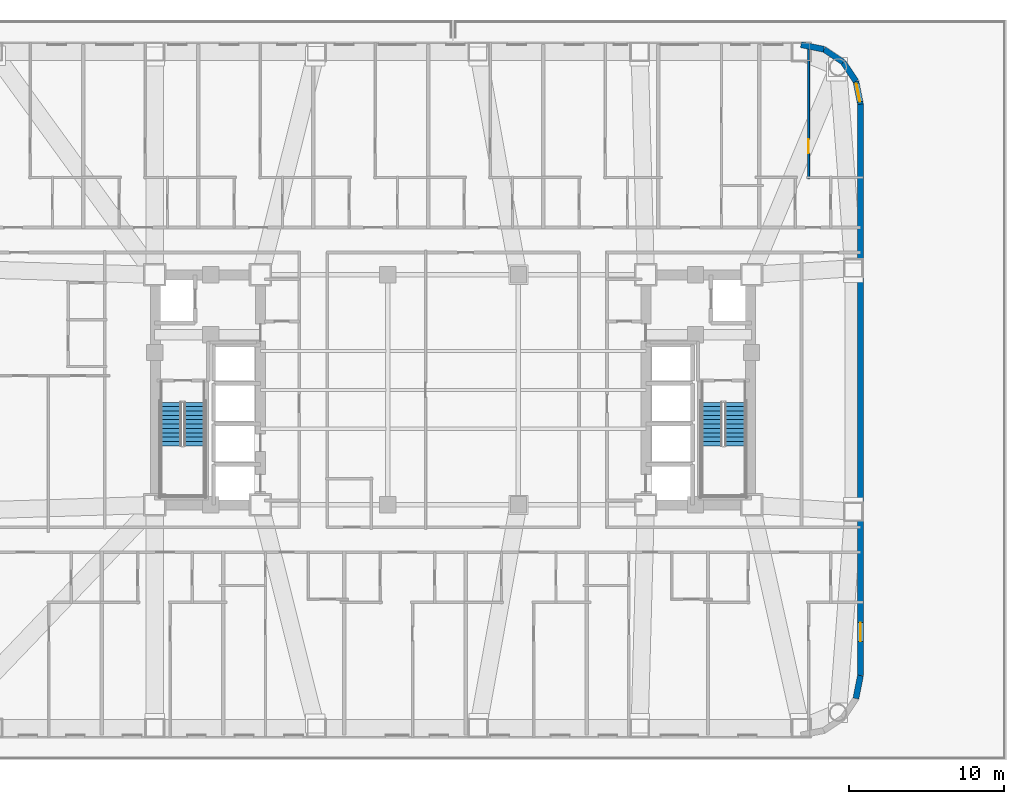
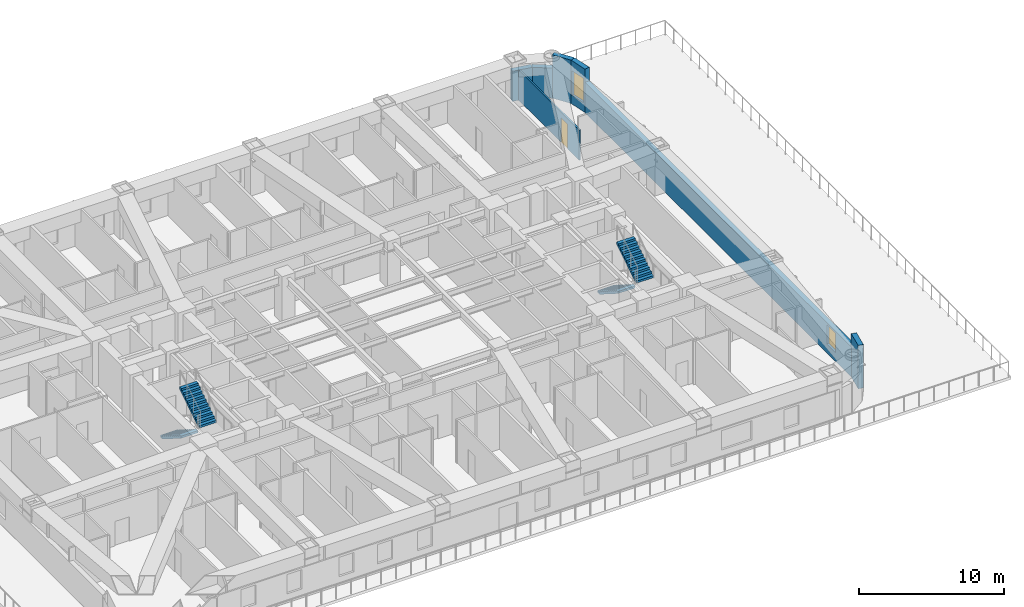
# One storey, part 10 of 15: 7 walls, 4 stair flights, 2 windows, 1 door, 3 openings, 2 elements without a shape of their own.
"""IFC4 building model written with IfcOpenShell, lengths in metres."""

from ifc_helpers import new_model, si_unit, direction, frame, frame_2d, origin, place, context, subcontext, project, spatial, polyline, rectangle, outline, extrude, material, layer, layer_set, type_object, element, fill, aggregate, save


model = new_model("IFC4")

# Units and contexts
model_context = context("Model", 3, precision=1e-05, world=origin(), true_north=direction((0.0, 1.0)))
body_context = subcontext(model_context, "Body", "Model", "MODEL_VIEW")
ifc_project = project(units=[si_unit("LENGTHUNIT", "METRE"), si_unit("AREAUNIT", "SQUARE_METRE"), si_unit("VOLUMEUNIT", "CUBIC_METRE"), si_unit("PLANEANGLEUNIT", "RADIAN"), si_unit("MASSUNIT", "GRAM", prefix="KILO")], contexts=[model_context])

# Site, building, storey
site_placement = place(None, origin())
site = spatial("IfcSite", under=ifc_project, at=site_placement, CompositionType="ELEMENT")
building_placement = place(site_placement, origin())
building = spatial("IfcBuilding", under=site, at=building_placement, Name="Voryun Gate Residences", CompositionType="ELEMENT")
storey_placement = place(building_placement, frame((0.0, 0.0, 26.0)))
storey = spatial("IfcBuildingStorey", under=building, at=storey_placement, Name="L05", CompositionType="ELEMENT", Elevation=26.0)

# Walls
ifc_material_1 = material(Name="Granite masonry", Category="masonry")
ifc_layer_1 = layer(ifc_material_1, 0.3798828125, Name="W_EXT_GRANITE_380")
ifc_layer_set_1 = layer_set([ifc_layer_1], Name="Granite masonry")
wall_type_1 = type_object("IfcWallType", Name="W_EXT_GRANITE_380", PredefinedType="ELEMENTEDWALL", material=ifc_layer_set_1)
wall_1_placement = place(storey_placement, frame((22.38134765625, 22.2099609375, 0.0), z_axis=(0.0, 0.0, 1.0), x_axis=(0.980786132421, -0.195086038585, 0.0)))
element("IfcWall", 1, at=wall_1_placement, inside=storey, type_object=wall_type_1, Name="Exterior wall WEXT-L05-12", PredefinedType="ELEMENTEDWALL", context=body_context, shape_type="SweptSolid", body=[
    extrude(rectangle(XDim=1.504150390625, YDim=0.3798828125, at=frame_2d((0.751953125, 0.0))), origin(), (0.0, 0.0, 1.0), 2.5400390625),
])
wall_2_placement = place(storey_placement, frame((23.856689453125, 21.91650390625, 0.0), z_axis=(0.0, 0.0, 1.0), x_axis=(0.831392092774, -0.555686231674, 0.0)))
element("IfcWall", 2, at=wall_2_placement, inside=storey, type_object=wall_type_1, Name="Exterior wall WEXT-L05-13", PredefinedType="ELEMENTEDWALL", context=body_context, shape_type="SweptSolid", body=[
    extrude(rectangle(XDim=1.485107421875, YDim=0.3798828125, at=frame_2d((0.74267578125, 0.0))), origin(), (0.0, 0.0, 1.0), 2.5400390625),
])
wall_3_placement = place(storey_placement, frame((25.09130859375, 21.09130859375, 0.0), z_axis=(0.0, 0.0, 1.0), x_axis=(0.555686231674, -0.831392092774, 0.0)))
element("IfcWall", 3, at=wall_3_placement, inside=storey, type_object=wall_type_1, Name="Exterior wall WEXT-L05-14", PredefinedType="ELEMENTEDWALL", context=body_context, shape_type="SweptSolid", body=[
    extrude(rectangle(XDim=1.485107421875, YDim=0.3798828125, at=frame_2d((0.74267578125, 0.0))), origin(), (0.0, 0.0, 1.0), 3.64990234375),
])

# Wall, opening, window
wall_4_placement = place(storey_placement, frame((25.91650390625, 19.856689453125, 0.0), z_axis=(0.0, 0.0, 1.0), x_axis=(0.195086038585, -0.980786132421, 0.0)))
wall_4 = element("IfcWall", 4, at=wall_4_placement, inside=storey, type_object=wall_type_1, Name="Exterior wall WEXT-L05-15", PredefinedType="ELEMENTEDWALL", context=body_context, shape_type="SweptSolid", body=[
    extrude(rectangle(XDim=1.504150390625, YDim=0.3798828125, at=frame_2d((0.751953125, 0.0))), origin(), (0.0, 0.0, 1.0), 3.64990234375),
])
opening_1_placement = place(wall_4_placement, frame((0.152099609375, 0.0, 0.75)))
opening_1 = element("IfcOpeningElement", 5, at=opening_1_placement, cuts=wall_4, Name="Opening WN6", PredefinedType="OPENING", context=body_context, shape_type="SweptSolid", body=[
    extrude(rectangle(XDim=1.199951171875, YDim=2.050048828125, at=frame_2d((0.60009765625, 1.02490234375))), frame((0.0, 0.199951171875, 0.0), z_axis=(0.0, -1.0, 0.0), x_axis=(1.0, 0.0, 0.0)), (0.0, 0.0, 1.0), 0.39990234375),
])
ifc_material_2 = material(Name="Laminated low-E glass", Category="glass")
window_type = type_object("IfcWindowType", Name="WN_POD_SLOT_1200", PartitioningType="SINGLE_PANEL", PredefinedType="WINDOW", material=ifc_material_2)
window_1_placement = place(opening_1_placement, origin())
window_1 = element("IfcWindow", 6, at=window_1_placement, inside=storey, type_object=window_type, Name="Window WN-L05-DWFIX-13", OverallHeight=2.050048828125, OverallWidth=1.199951171875, PartitioningType="SINGLE_PANEL", PredefinedType="WINDOW", context=body_context, shape_type="SweptSolid", body=[
    extrude(rectangle(XDim=1.199951171875, YDim=2.050048828125, at=frame_2d((0.60009765625, 1.02490234375))), frame((0.0, 0.030029296875, 0.0), z_axis=(0.0, -1.0, 0.0), x_axis=(1.0, 0.0, 0.0)), (0.0, 0.0, 1.0), 0.06005859375),
])
fill(opening_1, window_1)

wall_5_placement = place(storey_placement, frame((26.2099609375, 18.38134765625, 0.0), z_axis=(0.0, 0.0, 1.0), x_axis=(0.0, -1.0, 0.0)))
wall_5 = element("IfcWall", 7, at=wall_5_placement, inside=storey, type_object=wall_type_1, Name="Exterior wall WEXT-L05-16", PredefinedType="ELEMENTEDWALL", context=body_context, shape_type="SweptSolid", body=[
    extrude(rectangle(XDim=36.7626953125, YDim=0.3798828125, at=frame_2d((18.38134765625, 0.0))), origin(), (0.0, 0.0, 1.0), 2.5400390625),
])
opening_2_placement = place(wall_5_placement, frame((33.362060546875, 0.0, 0.75)))
opening_2 = element("IfcOpeningElement", 8, at=opening_2_placement, cuts=wall_5, Name="Opening WN6", PredefinedType="OPENING", context=body_context, shape_type="SweptSolid", body=[
    extrude(rectangle(XDim=1.199951171875, YDim=1.6298828125, at=frame_2d((0.60009765625, 0.81494140625))), frame((0.0, 0.199951171875, 0.0), z_axis=(0.0, -1.0, 0.0), x_axis=(1.0, 0.0, 0.0)), (0.0, 0.0, 1.0), 0.39990234375),
])
window_2_placement = place(opening_2_placement, origin())
window_2 = element("IfcWindow", 9, at=window_2_placement, inside=storey, type_object=window_type, Name="Window WN-L05-DWFIX-25", OverallHeight=1.6298828125, OverallWidth=1.199951171875, PartitioningType="SINGLE_PANEL", PredefinedType="WINDOW", context=body_context, shape_type="SweptSolid", body=[
    extrude(rectangle(XDim=1.199951171875, YDim=1.6298828125, at=frame_2d((0.60009765625, 0.81494140625))), frame((0.0, 0.030029296875, 0.0), z_axis=(0.0, -1.0, 0.0), x_axis=(1.0, 0.0, 0.0)), (0.0, 0.0, 1.0), 0.06005859375),
])
fill(opening_2, window_2)

# Wall
wall_6_placement = place(storey_placement, frame((26.2099609375, -18.38134765625, 0.0), z_axis=(0.0, 0.0, 1.0), x_axis=(-0.195086038585, -0.980786132421, 0.0)))
element("IfcWall", 10, at=wall_6_placement, inside=storey, type_object=wall_type_1, Name="Exterior wall WEXT-L05-17", PredefinedType="ELEMENTEDWALL", context=body_context, shape_type="SweptSolid", body=[
    extrude(rectangle(XDim=1.504150390625, YDim=0.3798828125, at=frame_2d((0.751953125, 0.0))), origin(), (0.0, 0.0, 1.0), 3.64990234375),
])

# Wall, opening, door
ifc_material_3 = material(Name="Gypsum acoustic partition")
ifc_layer_2 = layer(ifc_material_3, 0.125, Name="W_UNIT_PART_125")
ifc_layer_set_2 = layer_set([ifc_layer_2], Name="Gypsum acoustic partition")
wall_type_2 = type_object("IfcWallType", Name="W_UNIT_PART_125", PredefinedType="PARTITIONING", material=ifc_layer_set_2)
wall_7_placement = place(storey_placement, frame((22.867919921875, 13.590087890625, 0.0), z_axis=(0.0, 0.0, 1.0), x_axis=(0.0, 1.0, 0.0)))
wall_7 = element("IfcWall", 11, at=wall_7_placement, inside=storey, type_object=wall_type_2, Name="Partition wall WP-L05-N8-OVR", PredefinedType="PARTITIONING", context=body_context, shape_type="SweptSolid", body=[
    extrude(rectangle(XDim=8.676025390625, YDim=0.125, at=frame_2d((4.337890625, 0.0))), origin(), (0.0, 0.0, 1.0), 2.5400390625),
])
opening_3_placement = place(wall_7_placement, frame((1.63232421875, 0.0, 0.0)))
opening_3 = element("IfcOpeningElement", 12, at=opening_3_placement, cuts=wall_7, Name="Opening D-INT-2", PredefinedType="OPENING", context=body_context, shape_type="SweptSolid", body=[
    extrude(rectangle(XDim=0.89990234375, YDim=2.050048828125, at=frame_2d((0.449951171875, 1.02490234375))), frame((0.0, 0.072509765625, 0.0), z_axis=(0.0, -1.0, 0.0), x_axis=(1.0, 0.0, 0.0)), (0.0, 0.0, 1.0), 0.14501953125),
])
ifc_material_4 = material(Name="Architectural oak veneer")
door_type = type_object("IfcDoorType", Name="DR_INT_BATH_900", OperationType="NOTDEFINED", PredefinedType="DOOR", material=ifc_material_4)
door_placement = place(opening_3_placement, origin())
door = element("IfcDoor", 13, at=door_placement, inside=storey, type_object=door_type, Name="Door DR-L05-N8-DMB", OperationType="SINGLE_SWING_RIGHT", OverallHeight=2.050048828125, OverallWidth=0.89990234375, PredefinedType="DOOR", context=body_context, shape_type="SweptSolid", body=[
    extrude(rectangle(XDim=0.89990234375, YDim=2.050048828125, at=frame_2d((0.449951171875, 1.02490234375))), frame((0.0, 0.02490234375, 0.0), z_axis=(0.0, -1.0, 0.0), x_axis=(1.0, 0.0, 0.0)), (0.0, 0.0, 1.0), 0.050048828125),
])
fill(opening_3, door)

# Stair, stair flights
ifc_material_5 = material(Name="Concrete C40/50", Category="concrete")
stair_type = type_object("IfcStairType", Name="STR_CORE_DOGLEG_1350", PredefinedType="HALF_TURN_STAIR", material=ifc_material_5)
stair_1_placement = place(storey_placement, origin())
stair_1 = element("IfcStair", 14, at=stair_1_placement, inside=storey, type_object=stair_type, Name="L05 Special Escape Stair ST-W1", PredefinedType="HALF_TURN_STAIR")
ifc_material_6 = material(Name="Concrete C40/50", Category="concrete")
stair_flight_type = type_object("IfcStairFlightType", Name="FLT_CORE_1350", PredefinedType="STRAIGHT", material=ifc_material_6)
stair_flight_1_placement = place(storey_placement, frame((-18.14990234375, -0.800048828125, 0.0), z_axis=(0.0, 0.0, 1.0), x_axis=(0.0, -1.0, 0.0)))
stair_flight_1 = element("IfcStairFlight", 15, at=stair_flight_1_placement, type_object=stair_flight_type, Name="ST-W1 flight 1", NumberOfRisers=11, NumberOfTreads=10, PredefinedType="STRAIGHT", RiserHeight=0.177272727, TreadLength=0.28, context=body_context, shape_type="SweptSolid", body=[
    extrude(outline(polyline([(0.0, 0.0), (0.0, 0.17724609375), (0.280029296875, 0.17724609375), (0.280029296875, 0.3544921875), (0.56005859375, 0.3544921875), (0.56005859375, 0.53173828125), (0.840087890625, 0.53173828125), (0.840087890625, 0.708984375), (1.1201171875, 0.708984375), (1.1201171875, 0.886474609375), (1.39990234375, 0.886474609375), (1.39990234375, 1.063720703125), (1.679931640625, 1.063720703125), (1.679931640625, 1.240966796875), (1.9599609375, 1.240966796875), (1.9599609375, 1.418212890625), (2.239990234375, 1.418212890625), (2.239990234375, 1.595458984375), (2.52001953125, 1.595458984375), (2.52001953125, 1.772705078125), (2.800048828125, 1.772705078125), (2.800048828125, 1.949951171875), (2.800048828125, 1.59521484375), (0.2802734375, 0.0), (0.0, 0.0)])), frame((0.0, 0.675048828125, 0.0), z_axis=(0.0, -1.0, 0.0), x_axis=(1.0, 0.0, 0.0)), (0.0, 0.0, 1.0), 1.35009765625),
])
stair_flight_2_placement = place(storey_placement, frame((-16.64990234375, -3.60009765625, 1.949951171875), z_axis=(0.0, 0.0, 1.0), x_axis=(0.0, 1.0, 0.0)))
stair_flight_2 = element("IfcStairFlight", 16, at=stair_flight_2_placement, type_object=stair_flight_type, Name="ST-W1 flight 2", NumberOfRisers=11, NumberOfTreads=10, PredefinedType="STRAIGHT", RiserHeight=0.177272727, TreadLength=0.28, context=body_context, shape_type="SweptSolid", body=[
    extrude(outline(polyline([(0.0, 0.0), (0.0, 0.17724609375), (0.280029296875, 0.17724609375), (0.280029296875, 0.3544921875), (0.56005859375, 0.3544921875), (0.56005859375, 0.53173828125), (0.840087890625, 0.53173828125), (0.840087890625, 0.708984375), (1.1201171875, 0.708984375), (1.1201171875, 0.886474609375), (1.39990234375, 0.886474609375), (1.39990234375, 1.063720703125), (1.679931640625, 1.063720703125), (1.679931640625, 1.240966796875), (1.9599609375, 1.240966796875), (1.9599609375, 1.418212890625), (2.239990234375, 1.418212890625), (2.239990234375, 1.595458984375), (2.52001953125, 1.595458984375), (2.52001953125, 1.772705078125), (2.800048828125, 1.772705078125), (2.800048828125, 1.949951171875), (2.800048828125, 1.59521484375), (0.2802734375, 0.0), (0.0, 0.0)])), frame((0.0, 0.675048828125, 0.0), z_axis=(0.0, -1.0, 0.0), x_axis=(1.0, 0.0, 0.0)), (0.0, 0.0, 1.0), 1.35009765625),
])
aggregate(stair_1, [stair_flight_1, stair_flight_2])

stair_2_placement = place(storey_placement, origin())
stair_2 = element("IfcStair", 17, at=stair_2_placement, inside=storey, type_object=stair_type, Name="L05 Special Escape Stair ST-E1", PredefinedType="HALF_TURN_STAIR")
stair_flight_3_placement = place(storey_placement, frame((16.64990234375, -0.800048828125, 0.0), z_axis=(0.0, 0.0, 1.0), x_axis=(0.0, -1.0, 0.0)))
stair_flight_3 = element("IfcStairFlight", 18, at=stair_flight_3_placement, type_object=stair_flight_type, Name="ST-E1 flight 1", NumberOfRisers=11, NumberOfTreads=10, PredefinedType="STRAIGHT", RiserHeight=0.177272727, TreadLength=0.28, context=body_context, shape_type="SweptSolid", body=[
    extrude(outline(polyline([(0.0, 0.0), (0.0, 0.17724609375), (0.280029296875, 0.17724609375), (0.280029296875, 0.3544921875), (0.56005859375, 0.3544921875), (0.56005859375, 0.53173828125), (0.840087890625, 0.53173828125), (0.840087890625, 0.708984375), (1.1201171875, 0.708984375), (1.1201171875, 0.886474609375), (1.39990234375, 0.886474609375), (1.39990234375, 1.063720703125), (1.679931640625, 1.063720703125), (1.679931640625, 1.240966796875), (1.9599609375, 1.240966796875), (1.9599609375, 1.418212890625), (2.239990234375, 1.418212890625), (2.239990234375, 1.595458984375), (2.52001953125, 1.595458984375), (2.52001953125, 1.772705078125), (2.800048828125, 1.772705078125), (2.800048828125, 1.949951171875), (2.800048828125, 1.59521484375), (0.2802734375, 0.0), (0.0, 0.0)])), frame((0.0, 0.675048828125, 0.0), z_axis=(0.0, -1.0, 0.0), x_axis=(1.0, 0.0, 0.0)), (0.0, 0.0, 1.0), 1.35009765625),
])
stair_flight_4_placement = place(storey_placement, frame((18.14990234375, -3.60009765625, 1.949951171875), z_axis=(0.0, 0.0, 1.0), x_axis=(0.0, 1.0, 0.0)))
stair_flight_4 = element("IfcStairFlight", 19, at=stair_flight_4_placement, type_object=stair_flight_type, Name="ST-E1 flight 2", NumberOfRisers=11, NumberOfTreads=10, PredefinedType="STRAIGHT", RiserHeight=0.177272727, TreadLength=0.28, context=body_context, shape_type="SweptSolid", body=[
    extrude(outline(polyline([(0.0, 0.0), (0.0, 0.17724609375), (0.280029296875, 0.17724609375), (0.280029296875, 0.3544921875), (0.56005859375, 0.3544921875), (0.56005859375, 0.53173828125), (0.840087890625, 0.53173828125), (0.840087890625, 0.708984375), (1.1201171875, 0.708984375), (1.1201171875, 0.886474609375), (1.39990234375, 0.886474609375), (1.39990234375, 1.063720703125), (1.679931640625, 1.063720703125), (1.679931640625, 1.240966796875), (1.9599609375, 1.240966796875), (1.9599609375, 1.418212890625), (2.239990234375, 1.418212890625), (2.239990234375, 1.595458984375), (2.52001953125, 1.595458984375), (2.52001953125, 1.772705078125), (2.800048828125, 1.772705078125), (2.800048828125, 1.949951171875), (2.800048828125, 1.59521484375), (0.2802734375, 0.0), (0.0, 0.0)])), frame((0.0, 0.675048828125, 0.0), z_axis=(0.0, -1.0, 0.0), x_axis=(1.0, 0.0, 0.0)), (0.0, 0.0, 1.0), 1.35009765625),
])
aggregate(stair_2, [stair_flight_3, stair_flight_4])

save(model, "model.ifc")
